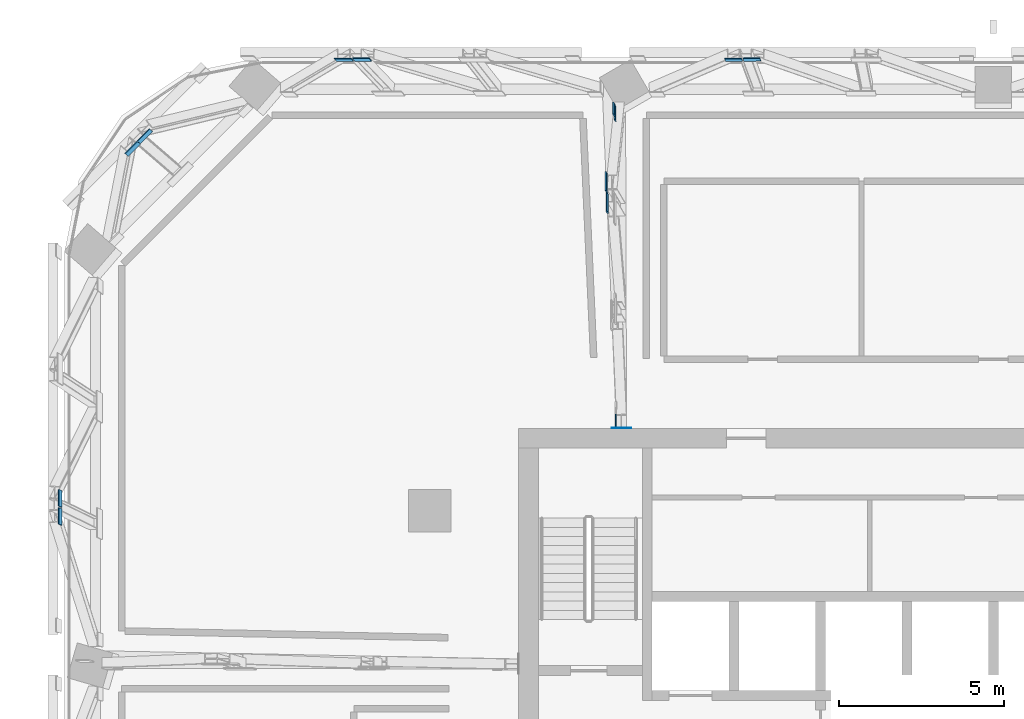
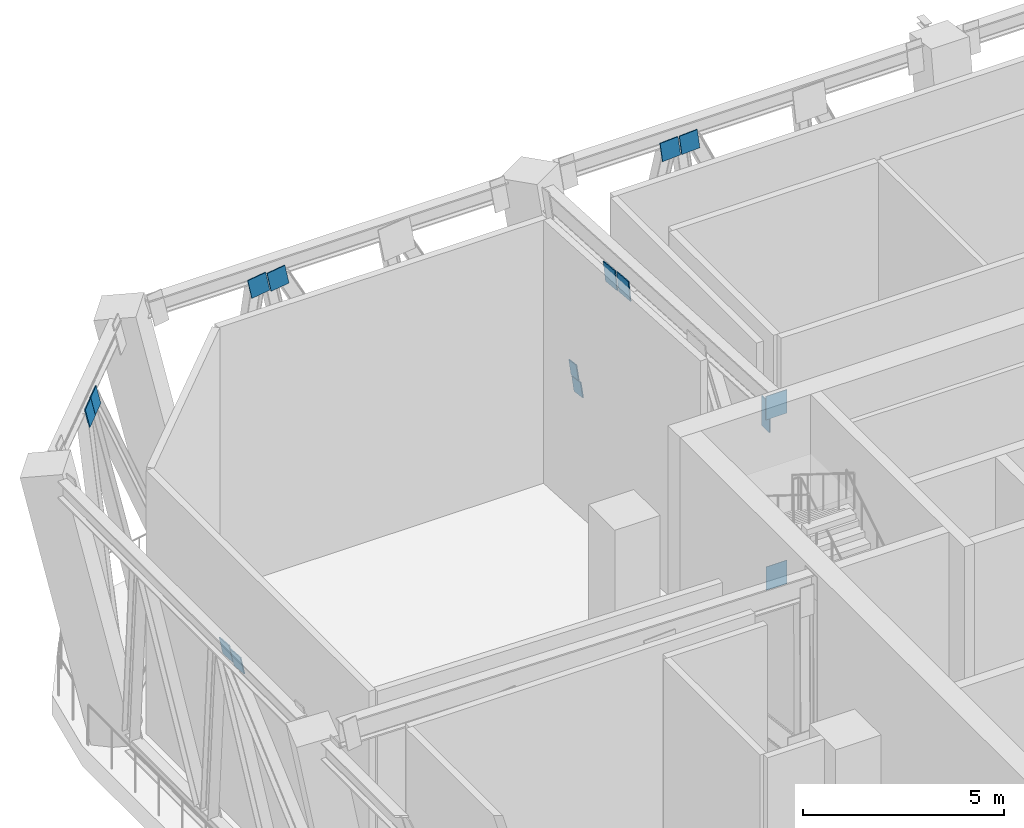
# One storey, part 16 of 24: 15 discrete accessories.
"""IFC4 building model written with IfcOpenShell, lengths in metres."""

from ifc_helpers import new_model, si_unit, direction, frame, origin, origin_2d, place, context, subcontext, project, spatial, rectangle, extrude, material, layer, layer_set, type_object, element, save


model = new_model("IFC4")

# Units and contexts
model_context = context("Model", 3, precision=1e-05, world=origin(), true_north=direction((0.0, 1.0)))
body_context = subcontext(model_context, "Body", "Model", "MODEL_VIEW")
ifc_project = project(units=[si_unit("LENGTHUNIT", "METRE"), si_unit("AREAUNIT", "SQUARE_METRE"), si_unit("VOLUMEUNIT", "CUBIC_METRE"), si_unit("PLANEANGLEUNIT", "RADIAN"), si_unit("MASSUNIT", "GRAM", prefix="KILO")], contexts=[model_context])

# Site, building, storey
site_placement = place(None, origin())
site = spatial("IfcSite", under=ifc_project, at=site_placement, CompositionType="ELEMENT")
building_placement = place(site_placement, origin())
building = spatial("IfcBuilding", under=site, at=building_placement, Name="Mopane Tessera Tower", CompositionType="ELEMENT")
storey_placement = place(building_placement, frame((0.0, 0.0, 259.0)))
storey = spatial("IfcBuildingStorey", under=building, at=storey_placement, Name="L56", CompositionType="ELEMENT", Elevation=259.0)

# Discrete accessories
ifc_material_1 = material(Name="Structural steel S460", Category="steel")
ifc_layer_1 = layer(ifc_material_1, 0.014892578125)
ifc_layer_set_1 = layer_set([ifc_layer_1], Name="Structural steel S460")
discrete_accessory_type_1 = type_object("IfcDiscreteAccessoryType", Name="Cast-in anchor plate 15 mm", PredefinedType="ANCHORPLATE", material=ifc_layer_set_1)
discrete_accessory_1_placement = place(storey_placement, frame((-11.28125, 13.507568359375, 2.10009765625), z_axis=(0.0, 0.0, 1.0), x_axis=(0.0, 1.0, 0.0)))
element("IfcDiscreteAccessory", 1, at=discrete_accessory_1_placement, inside=storey, type_object=discrete_accessory_type_1, Name="Cast-in anchor plate s ot L56 N3 b", PredefinedType="ANCHORPLATE", context=body_context, shape_type="SweptSolid", body=[
    extrude(rectangle(XDim=0.014892578125, YDim=0.60400390625, at=origin_2d()), origin(), (0.0, 0.0, 1.0), 0.7158203125),
])
discrete_accessory_2_placement = place(storey_placement, frame((-11.281982421875, 13.507568359375, 7.283935546875), z_axis=(0.0, 0.0, 1.0), x_axis=(0.0, 1.0, 0.0)))
element("IfcDiscreteAccessory", 2, at=discrete_accessory_2_placement, inside=storey, type_object=discrete_accessory_type_1, Name="Cast-in anchor plate s ot L56 N3 t", PredefinedType="ANCHORPLATE", context=body_context, shape_type="SweptSolid", body=[
    extrude(rectangle(XDim=0.014892578125, YDim=0.60400390625, at=origin_2d()), origin(), (0.0, 0.0, 1.0), 0.716064453125),
])
ifc_material_2 = material(Name="Structural steel S460", Category="steel")
ifc_layer_2 = layer(ifc_material_2, 0.030029296875)
ifc_layer_set_2 = layer_set([ifc_layer_2], Name="Structural steel S460")
discrete_accessory_type_2 = type_object("IfcDiscreteAccessoryType", Name="Truss node plate 30 mm", PredefinedType="BRACKET", material=ifc_layer_set_2)
discrete_accessory_3_placement = place(storey_placement, frame((-11.45654296875, 13.7275390625, 6.833984375), z_axis=(-0.001899064103, 0.003255538462, 0.999992897487), x_axis=(-0.999983136446, -0.005494366784, -0.001881158316)))
element("IfcDiscreteAccessory", 3, at=discrete_accessory_3_placement, inside=storey, type_object=discrete_accessory_type_2, Name="Truss node plate s ot L56 N3 1", PredefinedType="BRACKET", context=body_context, shape_type="SweptSolid", body=[
    extrude(rectangle(XDim=0.030029296875, YDim=0.389892578125, at=origin_2d()), origin(), (0.0, 0.0, 1.0), 0.89990234375),
])
discrete_accessory_4_placement = place(storey_placement, frame((-11.701171875, 20.318115234375, 6.94970703125), z_axis=(-0.051755292619, 0.0897369993, 0.994619857354), x_axis=(-0.998659646999, -0.00519605452, -0.051496703528)))
element("IfcDiscreteAccessory", 4, at=discrete_accessory_4_placement, inside=storey, type_object=discrete_accessory_type_2, Name="Truss node plate s ot L56 N3 4", PredefinedType="BRACKET", context=body_context, shape_type="SweptSolid", body=[
    extrude(rectangle(XDim=0.030029296875, YDim=0.581787109375, at=origin_2d()), origin(), (0.0, 0.0, 1.0), 0.5849609375),
])
discrete_accessory_5_placement = place(storey_placement, frame((-11.721435546875, 20.942138671875, 6.897216796875), z_axis=(-0.056706350385, 0.09756827934, 0.99361200712), x_axis=(-0.998383391083, -0.009401531796, -0.05605546905)))
element("IfcDiscreteAccessory", 5, at=discrete_accessory_5_placement, inside=storey, type_object=discrete_accessory_type_2, Name="Truss node plate s ot L56 N3 6", PredefinedType="BRACKET", context=body_context, shape_type="SweptSolid", body=[
    extrude(rectangle(XDim=0.030029296875, YDim=0.581787109375, at=origin_2d()), origin(), (0.0, 0.0, 1.0), 0.58544921875),
])
discrete_accessory_6_placement = place(storey_placement, frame((-11.458984375, 23.033447265625, 2.236083984375), z_axis=(-0.076642422417, 0.132629440212, 0.988198042234), x_axis=(-0.997057679281, -0.011573570305, -0.075776227516)))
element("IfcDiscreteAccessory", 6, at=discrete_accessory_6_placement, inside=storey, type_object=discrete_accessory_type_2, Name="Truss node plate s ot L56 N3 7", PredefinedType="BRACKET", context=body_context, shape_type="SweptSolid", body=[
    extrude(rectangle(XDim=0.030029296875, YDim=0.44384765625, at=origin_2d()), origin(), (0.0, 0.0, 1.0), 0.44921875),
])
discrete_accessory_7_placement = place(storey_placement, frame((-11.494384765625, 23.152099609375, 2.68994140625), z_axis=(-0.077177184298, 0.13315781798, 0.988085359539), x_axis=(-0.997013797561, -0.012969030744, -0.076126813378)))
element("IfcDiscreteAccessory", 7, at=discrete_accessory_7_placement, inside=storey, type_object=discrete_accessory_type_2, Name="Truss node plate s ot L56 N3 8", PredefinedType="BRACKET", context=body_context, shape_type="SweptSolid", body=[
    extrude(rectangle(XDim=0.030029296875, YDim=0.374755859375, at=origin_2d()), origin(), (0.0, 0.0, 1.0), 0.44921875),
])
for number, where, z_axis, x_axis, name in (
    (8, (-7.3125, 24.653564453125, 7.201171875), (-0.053600141577, 0.147283867289, 0.987640869577), (-0.006037302163, -0.989092388894, 0.147172678217), "Truss node plate s bt L56 N2-N3 4"),
    (9, (-7.8671875, 24.650390625, 7.180419921875), (-0.057316994532, 0.147253416846, 0.987436678155), (-0.008531825466, -0.989098797505, 0.147006043171), "Truss node plate s bt L56 N2-N3 6"),
):
    element("IfcDiscreteAccessory", number, at=place(storey_placement, frame(where, z_axis=z_axis, x_axis=x_axis)), inside=storey, type_object=discrete_accessory_type_2, Name=name, PredefinedType="BRACKET", context=body_context, shape_type="SweptSolid", body=[
        extrude(rectangle(XDim=0.030029296875, YDim=0.517333984375, at=origin_2d()), origin(), (0.0, 0.0, 1.0), 0.52392578125),
    ])
discrete_accessory_8_placement = place(storey_placement, frame((-19.1181640625, 24.653564453125, 7.201416015625), z_axis=(-0.137971471429, 0.145816003249, 0.97964359145), x_axis=(-0.020184921302, -0.989311715524, 0.144412251831)))
element("IfcDiscreteAccessory", 10, at=discrete_accessory_8_placement, inside=storey, type_object=discrete_accessory_type_2, Name="Truss node plate s bt L56 N3-N4 4", PredefinedType="BRACKET", context=body_context, shape_type="SweptSolid", body=[
    extrude(rectangle(XDim=0.030029296875, YDim=0.518310546875, at=origin_2d()), origin(), (0.0, 0.0, 1.0), 0.529052734375),
])
discrete_accessory_9_placement = place(storey_placement, frame((-19.672119140625, 24.650634765625, 7.18115234375), z_axis=(-0.141589954205, 0.145740799768, 0.97913834781), x_axis=(-0.021873729321, -0.989322287546, 0.144093550618)))
element("IfcDiscreteAccessory", 11, at=discrete_accessory_9_placement, inside=storey, type_object=discrete_accessory_type_2, Name="Truss node plate s bt L56 N3-N4 6", PredefinedType="BRACKET", context=body_context, shape_type="SweptSolid", body=[
    extrude(rectangle(XDim=0.030029296875, YDim=0.518310546875, at=origin_2d()), origin(), (0.0, 0.0, 1.0), 0.529296875),
])
for number, where, z_axis, x_axis, name in (
    (12, (-25.698486328125, 22.328369140625, 7.200439453125), (-0.168054568688, 0.144827514479, 0.975080844337), (0.687073667901, -0.692094466614, 0.221212622064), "Truss node plate s bt L56 N4-W0 2"),
    (13, (-26.07275390625, 21.949462890625, 7.18603515625), (-0.168054568688, 0.144827514479, 0.975080844337), (0.687073667901, -0.692094466614, 0.221212622064), "Truss node plate s bt L56 N4-W0 4"),
):
    element("IfcDiscreteAccessory", number, at=place(storey_placement, frame(where, z_axis=z_axis, x_axis=x_axis)), inside=storey, type_object=discrete_accessory_type_2, Name=name, PredefinedType="BRACKET", context=body_context, shape_type="SweptSolid", body=[
        extrude(rectangle(XDim=0.030029296875, YDim=0.522705078125, at=origin_2d()), origin(), (0.0, 0.0, 1.0), 0.5361328125),
    ])
discrete_accessory_10_placement = place(storey_placement, frame((-28.27490234375, 11.354736328125, 7.200439453125), z_axis=(-0.169479864315, 0.08403179902, 0.981944617759), x_axis=(0.985532420979, 0.01287710138, 0.168997122637)))
element("IfcDiscreteAccessory", 14, at=discrete_accessory_10_placement, inside=storey, type_object=discrete_accessory_type_2, Name="Truss node plate s bt L56 W0-W1 4", PredefinedType="BRACKET", context=body_context, shape_type="SweptSolid", body=[
    extrude(rectangle(XDim=0.030029296875, YDim=0.5078125, at=origin_2d()), origin(), (0.0, 0.0, 1.0), 0.51708984375),
])
discrete_accessory_11_placement = place(storey_placement, frame((-28.270263671875, 10.806396484375, 7.17431640625), z_axis=(-0.169617558347, 0.079847819946, 0.982269927031), x_axis=(0.985509827938, 0.013224119108, 0.169102045262)))
element("IfcDiscreteAccessory", 15, at=discrete_accessory_11_placement, inside=storey, type_object=discrete_accessory_type_2, Name="Truss node plate s bt L56 W0-W1 6", PredefinedType="BRACKET", context=body_context, shape_type="SweptSolid", body=[
    extrude(rectangle(XDim=0.030029296875, YDim=0.5078125, at=origin_2d()), origin(), (0.0, 0.0, 1.0), 0.516845703125),
])

save(model, "model.ifc")
